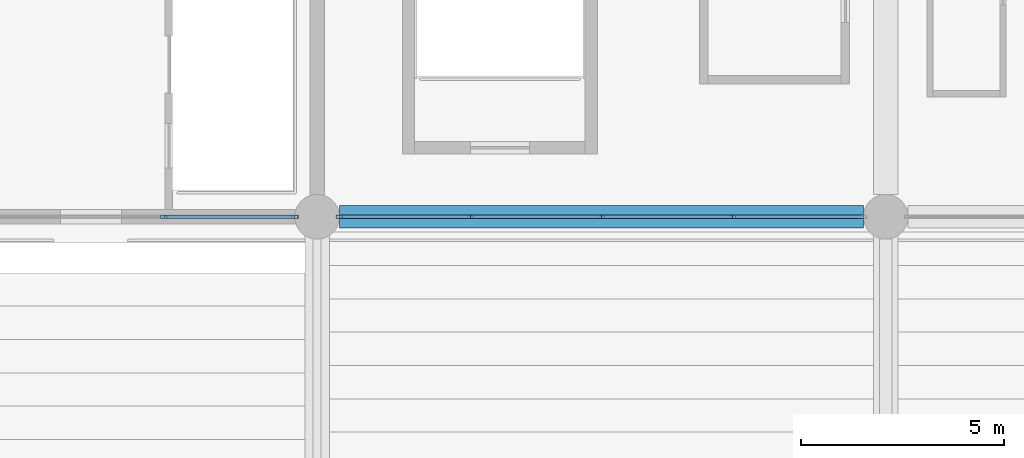
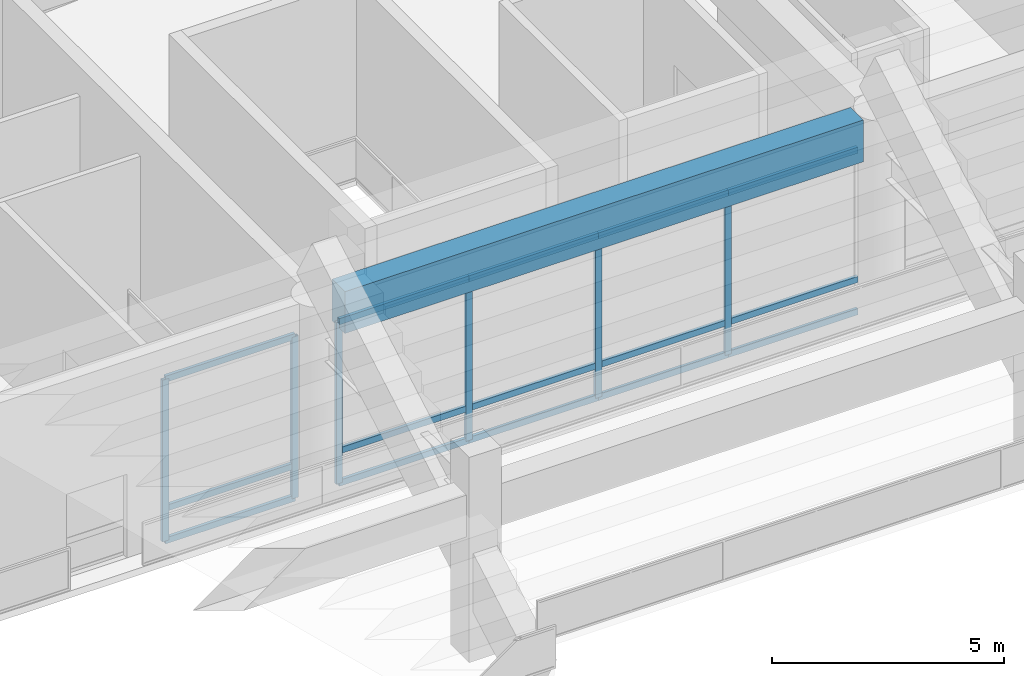
# One storey, part 49 of 90: 21 members, 1 beam, 2 elements without a shape of their own.
"""IFC4 building model written with IfcOpenShell, lengths in metres."""

from ifc_helpers import new_model, si_unit, direction, frame, origin, origin_2d, place, context, subcontext, project, spatial, rectangle, hollow_rectangle, extrude, material, material_profile, profile_set, type_object, element, aggregate, save


model = new_model("IFC4")

# Units and contexts
model_context = context("Model", 3, precision=1e-05, world=origin(), true_north=direction((0.0, 1.0)))
body_context = subcontext(model_context, "Body", "Model", "MODEL_VIEW")
ifc_project = project(units=[si_unit("LENGTHUNIT", "METRE"), si_unit("AREAUNIT", "SQUARE_METRE"), si_unit("VOLUMEUNIT", "CUBIC_METRE"), si_unit("PLANEANGLEUNIT", "RADIAN"), si_unit("MASSUNIT", "GRAM", prefix="KILO")], contexts=[model_context])

# Site, building, storey
site_placement = place(None, origin())
site = spatial("IfcSite", under=ifc_project, at=site_placement, CompositionType="ELEMENT")
building_placement = place(site_placement, origin())
building = spatial("IfcBuilding", under=site, at=building_placement, Name="Linyun Crest Stadium", CompositionType="ELEMENT")
storey_placement = place(building_placement, frame((0.0, 0.0, 21.0)))
storey = spatial("IfcBuildingStorey", under=building, at=storey_placement, Name="L05", CompositionType="ELEMENT", Elevation=21.0)

# Curtain wall, members
ifc_material_1 = material(Name="Verdigris steel and low-E curtain wall assembly", Category="steel")
curtain_wall_type = type_object("IfcCurtainWallType", Name="MCW03", PredefinedType="NOTDEFINED", material=ifc_material_1)
curtain_wall_1_placement = place(storey_placement, origin())
curtain_wall_1 = element("IfcCurtainWall", 1, at=curtain_wall_1_placement, inside=storey, type_object=curtain_wall_type, Name="CWR-130", PredefinedType="NOTDEFINED")
ifc_material_2 = material(Name="Aluminium thermally broken mullion", Category="aluminium")
ifc_material_profile_1 = material_profile(ifc_material_2, hollow_rectangle(XDim=0.080078125, YDim=0.159912109375, WallThickness=0.006103515625, at=origin_2d()), Name="RHS 160x80x6")
ifc_profile_set_1 = profile_set([ifc_material_profile_1], Name="Aluminium thermally broken mullion")
member_type_1 = type_object("IfcMemberType", Name="ML01", PredefinedType="MULLION", material=ifc_profile_set_1)
member_1_placement = place(storey_placement, frame((-17.77490234375, 91.5, 0.0), z_axis=(0.0, 0.0, 1.0), x_axis=(0.0, 1.0, 0.0)))
member_1 = element("IfcMember", 2, at=member_1_placement, type_object=member_type_1, Name="CWR-130 mullion 4", PredefinedType="MULLION", context=body_context, shape_type="SweptSolid", body=[
    extrude(hollow_rectangle(XDim=0.080078125, YDim=0.159912109375, WallThickness=0.006103515625, at=origin_2d()), origin(), (0.0, 0.0, 1.0), 4.25),
])
member_2_placement = place(storey_placement, frame((-14.550048828125, 91.5, 0.0), z_axis=(0.0, 0.0, 1.0), x_axis=(0.0, 1.0, 0.0)))
member_2 = element("IfcMember", 3, at=member_2_placement, type_object=member_type_1, Name="CWR-130 mullion 5", PredefinedType="MULLION", context=body_context, shape_type="SweptSolid", body=[
    extrude(hollow_rectangle(XDim=0.080078125, YDim=0.159912109375, WallThickness=0.006103515625, at=origin_2d()), origin(), (0.0, 0.0, 1.0), 4.25),
])

curtain_wall_2_placement = place(storey_placement, origin())
curtain_wall_2 = element("IfcCurtainWall", 4, at=curtain_wall_2_placement, inside=storey, type_object=curtain_wall_type, Name="CWR-137", PredefinedType="NOTDEFINED")
member_3_placement = place(storey_placement, frame((-13.449951171875, 91.5, 0.0), z_axis=(0.0, 0.0, 1.0), x_axis=(0.0, 1.0, 0.0)))
member_3 = element("IfcMember", 5, at=member_3_placement, type_object=member_type_1, Name="CWR-137 mullion 1", PredefinedType="MULLION", context=body_context, shape_type="SweptSolid", body=[
    extrude(hollow_rectangle(XDim=0.080078125, YDim=0.159912109375, WallThickness=0.006103515625, at=origin_2d()), origin(), (0.0, 0.0, 1.0), 4.25),
])
member_4_placement = place(storey_placement, frame((-10.22509765625, 91.5, 0.0), z_axis=(0.0, 0.0, 1.0), x_axis=(0.0, 1.0, 0.0)))
member_4 = element("IfcMember", 6, at=member_4_placement, type_object=member_type_1, Name="CWR-137 mullion 2", PredefinedType="MULLION", context=body_context, shape_type="SweptSolid", body=[
    extrude(hollow_rectangle(XDim=0.080078125, YDim=0.159912109375, WallThickness=0.006103515625, at=origin_2d()), origin(), (0.0, 0.0, 1.0), 4.25),
])
member_5_placement = place(storey_placement, frame((-7.0, 91.5, 0.0), z_axis=(0.0, 0.0, 1.0), x_axis=(0.0, 1.0, 0.0)))
member_5 = element("IfcMember", 7, at=member_5_placement, type_object=member_type_1, Name="CWR-137 mullion 3", PredefinedType="MULLION", context=body_context, shape_type="SweptSolid", body=[
    extrude(hollow_rectangle(XDim=0.080078125, YDim=0.159912109375, WallThickness=0.006103515625, at=origin_2d()), origin(), (0.0, 0.0, 1.0), 4.25),
])
member_6_placement = place(storey_placement, frame((-3.77490234375, 91.5, 0.0), z_axis=(0.0, 0.0, 1.0), x_axis=(0.0, 1.0, 0.0)))
member_6 = element("IfcMember", 8, at=member_6_placement, type_object=member_type_1, Name="CWR-137 mullion 4", PredefinedType="MULLION", context=body_context, shape_type="SweptSolid", body=[
    extrude(hollow_rectangle(XDim=0.080078125, YDim=0.159912109375, WallThickness=0.006103515625, at=origin_2d()), origin(), (0.0, 0.0, 1.0), 4.25),
])

# Beam
ifc_material_3 = material(Name="Concrete C50", Category="concrete")
ifc_material_profile_2 = material_profile(ifc_material_3, rectangle(XDim=0.550048828125, YDim=1.10009765625, at=origin_2d()), Name="RCB 1100x550")
ifc_profile_set_2 = profile_set([ifc_material_profile_2], Name="Concrete C50")
beam_type = type_object("IfcBeamType", Name="TB01", PredefinedType="USERDEFINED", material=ifc_profile_set_2)
beam_placement = place(storey_placement, frame((-13.449951171875, 91.5, 4.635009765625), z_axis=(1.0, 0.0, 0.0), x_axis=(0.0, 1.0, 0.0)))
element("IfcBeam", 9, at=beam_placement, inside=storey, type_object=beam_type, Name="Frame beam TB01 L05 824", ObjectType="GIRDER", PredefinedType="USERDEFINED", context=body_context, shape_type="SweptSolid", body=[
    extrude(rectangle(XDim=0.550048828125, YDim=1.10009765625, at=origin_2d()), origin(), (0.0, 0.0, 1.0), 12.89990234375),
])

# Member
ifc_material_4 = material(Name="Aluminium thermally broken transom", Category="aluminium")
ifc_material_profile_3 = material_profile(ifc_material_4, hollow_rectangle(XDim=0.080078125, YDim=0.159912109375, WallThickness=0.006103515625, at=origin_2d()), Name="RHS 160x80x6")
ifc_profile_set_3 = profile_set([ifc_material_profile_3], Name="Aluminium thermally broken transom")
member_type_2 = type_object("IfcMemberType", Name="TR01", PredefinedType="USERDEFINED", material=ifc_profile_set_3)
member_7_placement = place(storey_placement, frame((-17.77490234375, 91.5, 0.0), z_axis=(1.0, 0.0, 0.0), x_axis=(0.0, 1.0, 0.0)))
member_7 = element("IfcMember", 10, at=member_7_placement, type_object=member_type_2, Name="CWR-130 transom 4.1", ObjectType="TRANSOM", PredefinedType="USERDEFINED", context=body_context, shape_type="SweptSolid", body=[
    extrude(hollow_rectangle(XDim=0.080078125, YDim=0.159912109375, WallThickness=0.006103515625, at=origin_2d()), origin(), (0.0, 0.0, 1.0), 3.224853515625),
])

member_8_placement = place(storey_placement, frame((-17.77490234375, 91.5, 0.85009765625), z_axis=(1.0, 0.0, 0.0), x_axis=(0.0, 1.0, 0.0)))
member_8 = element("IfcMember", 11, at=member_8_placement, type_object=member_type_2, Name="CWR-130 transom 4.2", ObjectType="TRANSOM", PredefinedType="USERDEFINED", context=body_context, shape_type="SweptSolid", body=[
    extrude(hollow_rectangle(XDim=0.080078125, YDim=0.159912109375, WallThickness=0.006103515625, at=origin_2d()), origin(), (0.0, 0.0, 1.0), 3.224853515625),
])

member_9_placement = place(storey_placement, frame((-17.77490234375, 91.5, 4.25), z_axis=(1.0, 0.0, 0.0), x_axis=(0.0, 1.0, 0.0)))
member_9 = element("IfcMember", 12, at=member_9_placement, type_object=member_type_2, Name="CWR-130 transom 4.3", ObjectType="TRANSOM", PredefinedType="USERDEFINED", context=body_context, shape_type="SweptSolid", body=[
    extrude(hollow_rectangle(XDim=0.080078125, YDim=0.159912109375, WallThickness=0.006103515625, at=origin_2d()), origin(), (0.0, 0.0, 1.0), 3.224853515625),
])

aggregate(curtain_wall_1, [member_1, member_2, member_7, member_8, member_9])

member_10_placement = place(storey_placement, frame((-13.449951171875, 91.5, 0.0), z_axis=(1.0, 0.0, 0.0), x_axis=(0.0, 1.0, 0.0)))
member_10 = element("IfcMember", 13, at=member_10_placement, type_object=member_type_2, Name="CWR-137 transom 1.1", ObjectType="TRANSOM", PredefinedType="USERDEFINED", context=body_context, shape_type="SweptSolid", body=[
    extrude(hollow_rectangle(XDim=0.080078125, YDim=0.159912109375, WallThickness=0.006103515625, at=origin_2d()), origin(), (0.0, 0.0, 1.0), 3.224853515625),
])

member_11_placement = place(storey_placement, frame((-13.449951171875, 91.5, 0.85009765625), z_axis=(1.0, 0.0, 0.0), x_axis=(0.0, 1.0, 0.0)))
member_11 = element("IfcMember", 14, at=member_11_placement, type_object=member_type_2, Name="CWR-137 transom 1.2", ObjectType="TRANSOM", PredefinedType="USERDEFINED", context=body_context, shape_type="SweptSolid", body=[
    extrude(hollow_rectangle(XDim=0.080078125, YDim=0.159912109375, WallThickness=0.006103515625, at=origin_2d()), origin(), (0.0, 0.0, 1.0), 3.224853515625),
])

member_12_placement = place(storey_placement, frame((-13.449951171875, 91.5, 4.25), z_axis=(1.0, 0.0, 0.0), x_axis=(0.0, 1.0, 0.0)))
member_12 = element("IfcMember", 15, at=member_12_placement, type_object=member_type_2, Name="CWR-137 transom 1.3", ObjectType="TRANSOM", PredefinedType="USERDEFINED", context=body_context, shape_type="SweptSolid", body=[
    extrude(hollow_rectangle(XDim=0.080078125, YDim=0.159912109375, WallThickness=0.006103515625, at=origin_2d()), origin(), (0.0, 0.0, 1.0), 3.224853515625),
])

member_13_placement = place(storey_placement, frame((-10.22509765625, 91.5, 0.0), z_axis=(1.0, 0.0, 0.0), x_axis=(0.0, 1.0, 0.0)))
member_13 = element("IfcMember", 16, at=member_13_placement, type_object=member_type_2, Name="CWR-137 transom 2.1", ObjectType="TRANSOM", PredefinedType="USERDEFINED", context=body_context, shape_type="SweptSolid", body=[
    extrude(hollow_rectangle(XDim=0.080078125, YDim=0.159912109375, WallThickness=0.006103515625, at=origin_2d()), origin(), (0.0, 0.0, 1.0), 3.22509765625),
])

member_14_placement = place(storey_placement, frame((-10.22509765625, 91.5, 0.85009765625), z_axis=(1.0, 0.0, 0.0), x_axis=(0.0, 1.0, 0.0)))
member_14 = element("IfcMember", 17, at=member_14_placement, type_object=member_type_2, Name="CWR-137 transom 2.2", ObjectType="TRANSOM", PredefinedType="USERDEFINED", context=body_context, shape_type="SweptSolid", body=[
    extrude(hollow_rectangle(XDim=0.080078125, YDim=0.159912109375, WallThickness=0.006103515625, at=origin_2d()), origin(), (0.0, 0.0, 1.0), 3.22509765625),
])

member_15_placement = place(storey_placement, frame((-10.22509765625, 91.5, 4.25), z_axis=(1.0, 0.0, 0.0), x_axis=(0.0, 1.0, 0.0)))
member_15 = element("IfcMember", 18, at=member_15_placement, type_object=member_type_2, Name="CWR-137 transom 2.3", ObjectType="TRANSOM", PredefinedType="USERDEFINED", context=body_context, shape_type="SweptSolid", body=[
    extrude(hollow_rectangle(XDim=0.080078125, YDim=0.159912109375, WallThickness=0.006103515625, at=origin_2d()), origin(), (0.0, 0.0, 1.0), 3.22509765625),
])

member_16_placement = place(storey_placement, frame((-7.0, 91.5, 0.0), z_axis=(1.0, 0.0, 0.0), x_axis=(0.0, 1.0, 0.0)))
member_16 = element("IfcMember", 19, at=member_16_placement, type_object=member_type_2, Name="CWR-137 transom 3.1", ObjectType="TRANSOM", PredefinedType="USERDEFINED", context=body_context, shape_type="SweptSolid", body=[
    extrude(hollow_rectangle(XDim=0.080078125, YDim=0.159912109375, WallThickness=0.006103515625, at=origin_2d()), origin(), (0.0, 0.0, 1.0), 3.22509765625),
])

member_17_placement = place(storey_placement, frame((-7.0, 91.5, 0.85009765625), z_axis=(1.0, 0.0, 0.0), x_axis=(0.0, 1.0, 0.0)))
member_17 = element("IfcMember", 20, at=member_17_placement, type_object=member_type_2, Name="CWR-137 transom 3.2", ObjectType="TRANSOM", PredefinedType="USERDEFINED", context=body_context, shape_type="SweptSolid", body=[
    extrude(hollow_rectangle(XDim=0.080078125, YDim=0.159912109375, WallThickness=0.006103515625, at=origin_2d()), origin(), (0.0, 0.0, 1.0), 3.22509765625),
])

member_18_placement = place(storey_placement, frame((-7.0, 91.5, 4.25), z_axis=(1.0, 0.0, 0.0), x_axis=(0.0, 1.0, 0.0)))
member_18 = element("IfcMember", 21, at=member_18_placement, type_object=member_type_2, Name="CWR-137 transom 3.3", ObjectType="TRANSOM", PredefinedType="USERDEFINED", context=body_context, shape_type="SweptSolid", body=[
    extrude(hollow_rectangle(XDim=0.080078125, YDim=0.159912109375, WallThickness=0.006103515625, at=origin_2d()), origin(), (0.0, 0.0, 1.0), 3.22509765625),
])

member_19_placement = place(storey_placement, frame((-3.77490234375, 91.5, 0.0), z_axis=(1.0, 0.0, 0.0), x_axis=(0.0, 1.0, 0.0)))
member_19 = element("IfcMember", 22, at=member_19_placement, type_object=member_type_2, Name="CWR-137 transom 4.1", ObjectType="TRANSOM", PredefinedType="USERDEFINED", context=body_context, shape_type="SweptSolid", body=[
    extrude(hollow_rectangle(XDim=0.080078125, YDim=0.159912109375, WallThickness=0.006103515625, at=origin_2d()), origin(), (0.0, 0.0, 1.0), 3.224853515625),
])

member_20_placement = place(storey_placement, frame((-3.77490234375, 91.5, 0.85009765625), z_axis=(1.0, 0.0, 0.0), x_axis=(0.0, 1.0, 0.0)))
member_20 = element("IfcMember", 23, at=member_20_placement, type_object=member_type_2, Name="CWR-137 transom 4.2", ObjectType="TRANSOM", PredefinedType="USERDEFINED", context=body_context, shape_type="SweptSolid", body=[
    extrude(hollow_rectangle(XDim=0.080078125, YDim=0.159912109375, WallThickness=0.006103515625, at=origin_2d()), origin(), (0.0, 0.0, 1.0), 3.224853515625),
])

member_21_placement = place(storey_placement, frame((-3.77490234375, 91.5, 4.25), z_axis=(1.0, 0.0, 0.0), x_axis=(0.0, 1.0, 0.0)))
member_21 = element("IfcMember", 24, at=member_21_placement, type_object=member_type_2, Name="CWR-137 transom 4.3", ObjectType="TRANSOM", PredefinedType="USERDEFINED", context=body_context, shape_type="SweptSolid", body=[
    extrude(hollow_rectangle(XDim=0.080078125, YDim=0.159912109375, WallThickness=0.006103515625, at=origin_2d()), origin(), (0.0, 0.0, 1.0), 3.224853515625),
])

aggregate(curtain_wall_2, [member_3, member_4, member_5, member_6, member_10, member_11, member_12, member_13, member_14, member_15, member_16, member_17, member_18, member_19, member_20, member_21])

save(model, "model.ifc")
